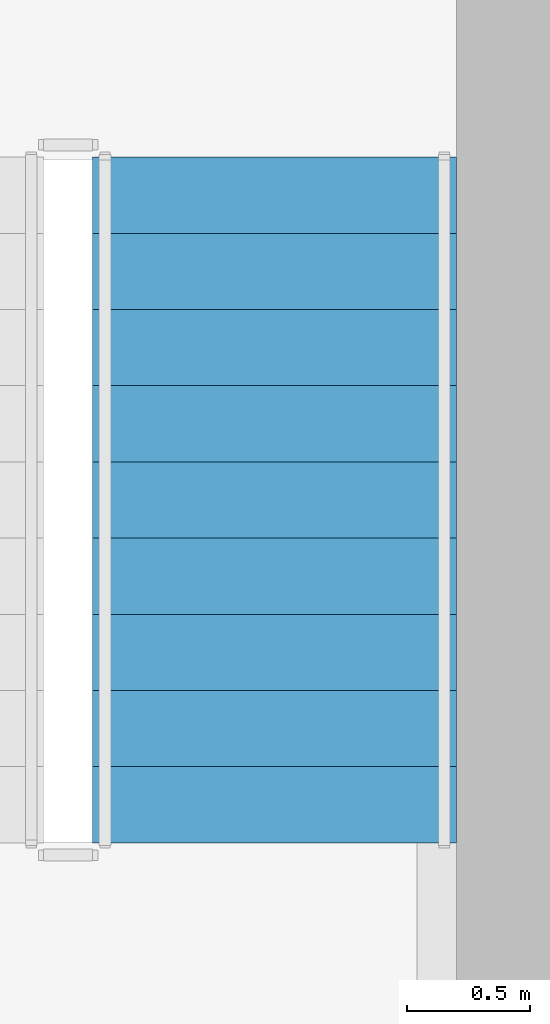
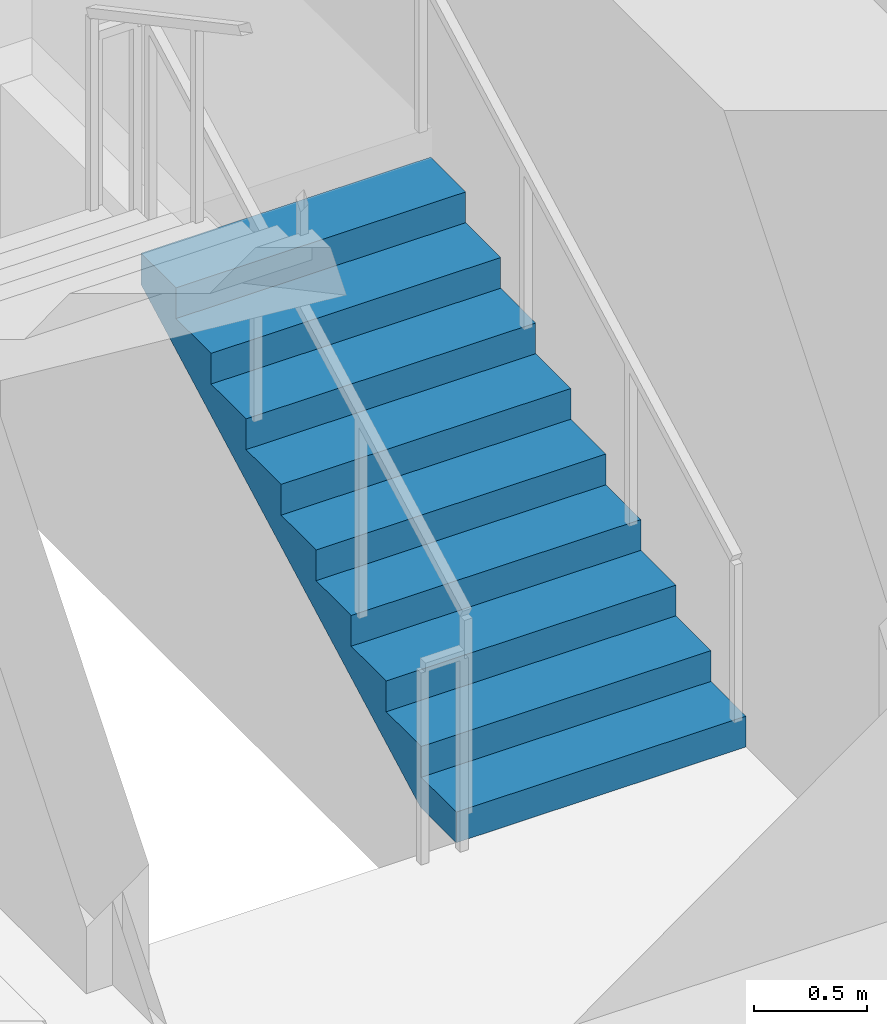
# One storey, part 7 of 10: 1 stair flight, 1 element without a shape of its own.
"""IFC4 building model written with IfcOpenShell, lengths in metres."""

from ifc_helpers import new_model, si_unit, direction, frame, origin, place, context, subcontext, project, spatial, polyline, outline, extrude, material, type_object, element, aggregate, save


model = new_model("IFC4")

# Units and contexts
model_context = context("Model", 3, precision=1e-05, world=origin(), true_north=direction((0.0, 1.0)))
body_context = subcontext(model_context, "Body", "Model", "MODEL_VIEW")
ifc_project = project(units=[si_unit("LENGTHUNIT", "METRE"), si_unit("AREAUNIT", "SQUARE_METRE"), si_unit("VOLUMEUNIT", "CUBIC_METRE"), si_unit("PLANEANGLEUNIT", "RADIAN"), si_unit("MASSUNIT", "GRAM", prefix="KILO")], contexts=[model_context])

# Site, building, storey
site_placement = place(None, origin())
site = spatial("IfcSite", under=ifc_project, at=site_placement, CompositionType="ELEMENT")
building_placement = place(site_placement, origin())
building = spatial("IfcBuilding", under=site, at=building_placement, Name="Solanera Arch Residences", CompositionType="ELEMENT")
storey_placement = place(building_placement, frame((0.0, 0.0, 126.0)))
storey = spatial("IfcBuildingStorey", under=building, at=storey_placement, Name="L36", CompositionType="ELEMENT", Elevation=126.0)

# Stair, stair flight
ifc_material_1 = material(Name="Concrete C40/50 (f'c = 45 MPa)", Category="concrete")
stair_type = type_object("IfcStairType", Name="Tower Dogleg Exit Stair 1480", PredefinedType="HALF_TURN_STAIR", material=ifc_material_1)
stair_placement = place(storey_placement, origin())
stair = element("IfcStair", 1, at=stair_placement, inside=storey, type_object=stair_type, Name="L36 Tower Core Exit Stair 2", PredefinedType="HALF_TURN_STAIR")
ifc_material_2 = material(Name="Concrete C40/50 (f'c = 45 MPa)", Category="concrete")
stair_flight_type = type_object("IfcStairFlightType", Name="Tower Precast Stair Flight 1480", PredefinedType="STRAIGHT", material=ifc_material_2)
stair_flight_placement = place(storey_placement, frame((35.320068359375, 32.47998046875, 0.0), z_axis=(0.0, 0.0, 1.0), x_axis=(0.0, 1.0, 0.0)))
stair_flight = element("IfcStairFlight", 2, at=stair_flight_placement, type_object=stair_flight_type, Name="ST-T2 flight 1", NumberOfRisers=10, NumberOfTreads=9, PredefinedType="STRAIGHT", RiserHeight=0.166, TreadLength=0.31, context=body_context, shape_type="SweptSolid", body=[
    extrude(outline(polyline([(0.0, 0.0), (0.0, 0.166015625), (0.31005859375, 0.166015625), (0.31005859375, 0.33203125), (0.6201171875, 0.33203125), (0.6201171875, 0.498046875), (0.929931640625, 0.498046875), (0.929931640625, 0.6640625), (1.239990234375, 0.6640625), (1.239990234375, 0.830078125), (1.550048828125, 0.830078125), (1.550048828125, 0.99609375), (1.860107421875, 0.99609375), (1.860107421875, 1.162109375), (2.169921875, 1.162109375), (2.169921875, 1.327880859375), (2.47998046875, 1.327880859375), (2.47998046875, 1.493896484375), (2.7900390625, 1.493896484375), (2.7900390625, 1.659912109375), (2.7900390625, 1.323974609375), (0.317626953125, 0.0), (0.0, 0.0)])), frame((0.0, 0.739990234375, 0.0), z_axis=(0.0, -1.0, 0.0), x_axis=(1.0, 0.0, 0.0)), (0.0, 0.0, 1.0), 1.47998046875),
])
aggregate(stair, [stair_flight])

save(model, "model.ifc")
